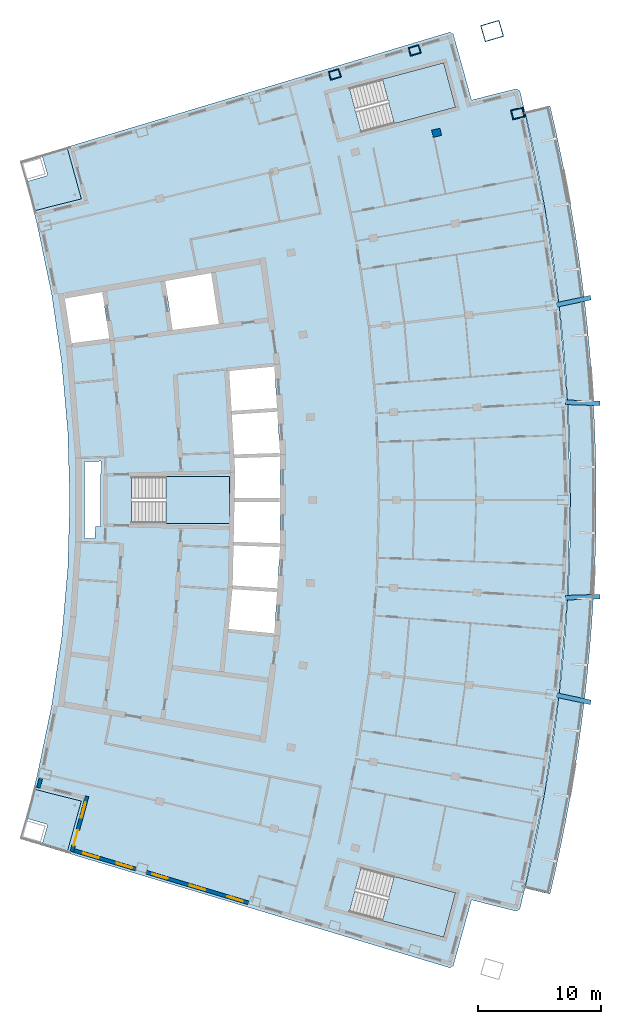
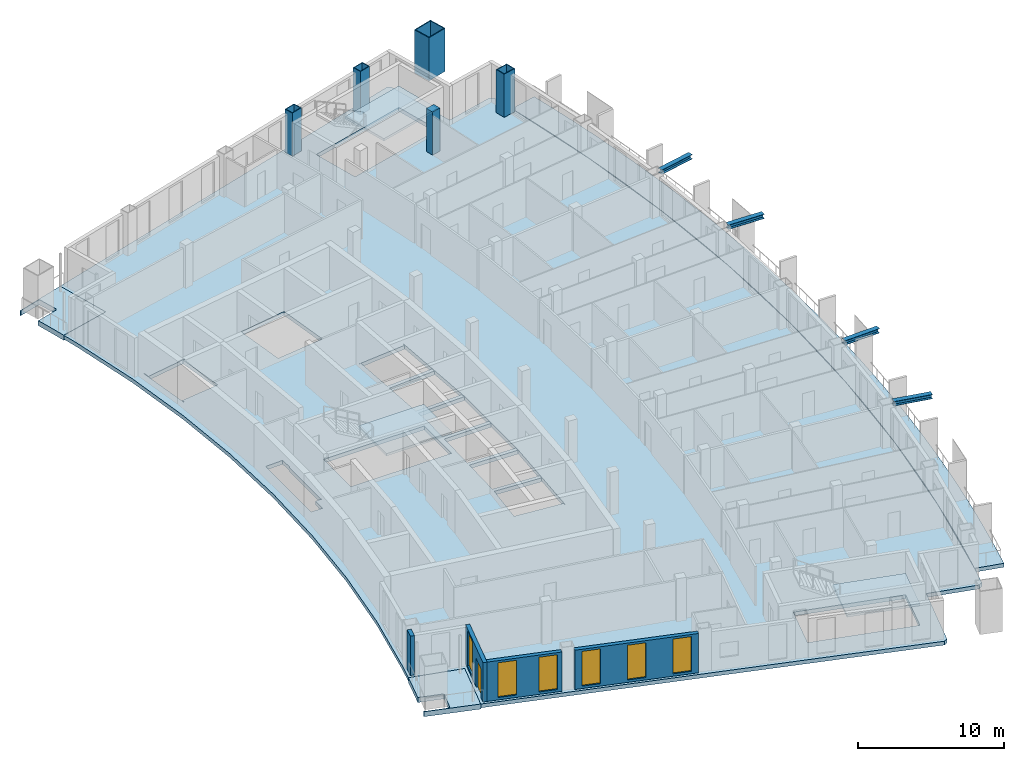
# One storey, part 6 of 17: 7 slabs, 6 windows, 5 columns, 4 members, 4 walls, 1 door, 7 openings, 3 elements without a shape of their own.
"""IFC4 building model written with IfcOpenShell, lengths in metres."""

import ifcopenshell
import ifcopenshell.guid

model = None  # the IFC model being written
_history = None  # IfcOwnerHistory: only IFC2X3 demands one
_inside = {}  # id of a spatial element -> (the spatial element, [elements in it])
_under = {}  # id of a project, library or spatial element -> (it, [spatial elements below it])
_declared = {}  # id of a project -> (the project, [libraries it declares])
_typed = {}  # id of a type object -> (the type object, [elements of that type])
_made_of = {}  # id of a material, layer set ... -> (it, [elements and type objects made of it])


def new_model(schema):
    """Start an empty IFC model of exactly this schema.

    Asked for "IFC4X3", IfcOpenShell would pick the latest addendum, in which some entities
    have other attributes; the version numbers below select the first issue.
    IFC2X3 requires an IfcOwnerHistory on every rooted entity: one is made here for all.
    """
    global model, _history
    if schema == "IFC4X3":
        model = ifcopenshell.file(schema_version=(4, 3, 0, 0))
    else:
        model = ifcopenshell.file(schema=schema)
    _inside.clear()
    _under.clear()
    _declared.clear()
    _typed.clear()
    _made_of.clear()
    _history = None
    if model.schema == "IFC2X3":
        org = make("IfcOrganization", Name="unknown")
        user = make(
            "IfcPersonAndOrganization",
            ThePerson=make("IfcPerson", FamilyName="unknown"),
            TheOrganization=org,
        )
        app = make(
            "IfcApplication",
            ApplicationDeveloper=org,
            Version="unknown",
            ApplicationFullName="unknown",
            ApplicationIdentifier="unknown",
        )
        _history = make(
            "IfcOwnerHistory",
            OwningUser=user,
            OwningApplication=app,
            ChangeAction="ADDED",
            CreationDate=0,
        )
    return model


def make(cls, **values):
    """One entity of the class cls with the attributes given. An attribute that is None is left unset."""
    return model.create_entity(
        cls, **{name: value for name, value in values.items() if value is not None}
    )


def rooted(cls, **values):
    """An entity with a GlobalId (a new one), such as an element, a storey or a relation."""
    return make(cls, GlobalId=ifcopenshell.guid.new(), OwnerHistory=_history, **values)


def si_unit(unit_type, name, prefix=None):
    """IfcSIUnit, for example si_unit("LENGTHUNIT", "METRE", prefix="MILLI")."""
    return make("IfcSIUnit", UnitType=unit_type, Prefix=prefix, Name=name)


def assignment(units):
    """IfcUnitAssignment: the units of a project."""
    return None if units is None else make("IfcUnitAssignment", Units=units)


def point(xyz):
    """IfcCartesianPoint."""
    return None if xyz is None else make("IfcCartesianPoint", Coordinates=xyz)


def direction(xyz):
    """IfcDirection."""
    return None if xyz is None else make("IfcDirection", DirectionRatios=xyz)


def frame(location, z_axis=None, x_axis=None):
    """IfcAxis2Placement3D, a coordinate frame: its origin and axes. An axis left out is left unset."""
    return make(
        "IfcAxis2Placement3D",
        Location=point(location),
        Axis=direction(z_axis),
        RefDirection=direction(x_axis),
    )


def frame_2d(location, x_axis=None):
    """IfcAxis2Placement2D, a coordinate frame in the plane: its origin and x axis."""
    return make(
        "IfcAxis2Placement2D", Location=point(location), RefDirection=direction(x_axis)
    )


def origin():
    """The frame at (0, 0, 0) with its axes left unset."""
    return frame((0.0, 0.0, 0.0))


def origin_2d():
    """The frame at (0, 0) in the plane with its x axis left unset."""
    return frame_2d((0.0, 0.0))


def place(relative_to, where):
    """IfcLocalPlacement: puts the frame where relative to a parent placement (None: the world)."""
    return make(
        "IfcLocalPlacement", PlacementRelTo=relative_to, RelativePlacement=where
    )


def context(
    kind, dimensions, precision=None, world=None, true_north=None, identifier=None
):
    """IfcGeometricRepresentationContext, for example the 3D "Model" context."""
    return make(
        "IfcGeometricRepresentationContext",
        ContextIdentifier=identifier,
        ContextType=kind,
        CoordinateSpaceDimension=dimensions,
        Precision=precision,
        WorldCoordinateSystem=world,
        TrueNorth=true_north,
    )


def subcontext(parent, identifier, kind, view, scale=None):
    """IfcGeometricRepresentationSubContext, for example "Body" below "Model"."""
    return make(
        "IfcGeometricRepresentationSubContext",
        ContextIdentifier=identifier,
        ContextType=kind,
        ParentContext=parent,
        TargetScale=scale,
        TargetView=view,
    )


def project(units=None, contexts=None):
    """IfcProject with its units and contexts."""
    return rooted(
        "IfcProject",
        Name="project",
        RepresentationContexts=contexts,
        UnitsInContext=assignment(units),
    )


def spatial(cls, under=None, at=None, **own):
    """A site, building, storey or space (cls), placed at a placement, below another one or the project."""
    s = rooted(cls, ObjectPlacement=at, **own)
    if under is not None:
        _under.setdefault(under.id(), (under, []))[1].append(s)
    return s


def polyline(points):
    """IfcPolyline through the points."""
    return make("IfcPolyline", Points=[point(p) for p in points])


def profile(cls, at=None, kind="AREA", **sizes):
    """A parametric profile (cls). Its sizes go by their IFC names, for example OverallWidth=200.0."""
    return make(cls, ProfileType=kind, Position=at, **sizes)


def rectangle(**sizes):
    """IfcRectangleProfileDef."""
    return profile("IfcRectangleProfileDef", **sizes)


def hollow_rectangle(**sizes):
    """IfcRectangleHollowProfileDef."""
    return profile("IfcRectangleHollowProfileDef", **sizes)


def i_section(**sizes):
    """IfcIShapeProfileDef."""
    return profile("IfcIShapeProfileDef", **sizes)


def outline(outer, holes=None, kind="AREA"):
    """IfcArbitraryClosedProfileDef: a profile drawn as a closed curve; with holes, ...WithVoids."""
    if holes is None:
        return make("IfcArbitraryClosedProfileDef", ProfileType=kind, OuterCurve=outer)
    return make(
        "IfcArbitraryProfileDefWithVoids",
        ProfileType=kind,
        OuterCurve=outer,
        InnerCurves=holes,
    )


def extrude(swept, where, along, depth):
    """IfcExtrudedAreaSolid: the profile swept, set in the frame where, extruded along a direction by depth."""
    return make(
        "IfcExtrudedAreaSolid",
        SweptArea=swept,
        Position=where,
        ExtrudedDirection=direction(along),
        Depth=depth,
    )


def shape(context_of_items, identifier, shape_type, items):
    """IfcShapeRepresentation: the items that make up one representation, for example the "Body"."""
    return make(
        "IfcShapeRepresentation",
        ContextOfItems=context_of_items,
        RepresentationIdentifier=identifier,
        RepresentationType=shape_type,
        Items=items,
    )


def material(Name=None, Category=None):
    """IfcMaterial."""
    return make("IfcMaterial", Name=Name, Category=Category)


def layer(
    of_material, thickness, ventilated=None, Name=None, Category=None, Priority=None
):
    """IfcMaterialLayer: one layer of a wall or slab, of a material (None: an air gap)."""
    return make(
        "IfcMaterialLayer",
        Material=of_material,
        LayerThickness=thickness,
        IsVentilated=ventilated,
        Name=Name,
        Category=Category,
        Priority=Priority,
    )


def layer_set(layers, Name=None):
    """IfcMaterialLayerSet."""
    return make("IfcMaterialLayerSet", MaterialLayers=layers, LayerSetName=Name)


def material_profile(
    of_material, cross_section, Name=None, Category=None, Priority=None
):
    """IfcMaterialProfile: a cross section and its material."""
    return make(
        "IfcMaterialProfile",
        Name=Name,
        Material=of_material,
        Profile=cross_section,
        Priority=Priority,
        Category=Category,
    )


def profile_set(profiles, Name=None, composite=None):
    """IfcMaterialProfileSet."""
    return make(
        "IfcMaterialProfileSet",
        Name=Name,
        MaterialProfiles=profiles,
        CompositeProfile=composite,
    )


def made_of(thing, what):
    """Note that an element or type object is made of a material, layer set ...; save() writes the relation."""
    if what is not None:
        _made_of.setdefault(what.id(), (what, []))[1].append(thing)
    return thing


def type_object(cls, material=None, **own):
    """A type object (cls), such as IfcWallType, which elements share."""
    return made_of(rooted(cls, **own), material)


def element(
    cls,
    number,
    at=None,
    inside=None,
    cuts=None,
    type_object=None,
    material=None,
    context=None,
    identifier="Body",
    shape_type=None,
    held_by="IfcProductDefinitionShape",
    body=None,
    shapes=None,
    **own,
):
    """One element of the class cls, such as IfcWall. Its Tag is "e" and its number.

    at: its placement. inside: the storey or other place that contains it. cuts: it is an
    opening in that element (IfcRelVoidsElement). A single representation is given by context,
    identifier, shape_type and body (its items); several are given by shapes. held_by: the class
    of the entity that holds the representations. save() writes the other relations.
    """
    e = rooted(cls, Tag="e%d" % number, ObjectPlacement=at, **own)
    if body is not None:
        shapes = [shape(context, identifier, shape_type, body)]
    if shapes is not None:
        e.Representation = make(held_by, Representations=shapes)
    if inside is not None:
        _inside.setdefault(inside.id(), (inside, []))[1].append(e)
    if cuts is not None:
        rooted(
            "IfcRelVoidsElement", RelatingBuildingElement=cuts, RelatedOpeningElement=e
        )
    if type_object is not None:
        _typed.setdefault(type_object.id(), (type_object, []))[1].append(e)
    return made_of(e, material)


def fill(opening, filler):
    """IfcRelFillsElement: the door or window that sits in an opening."""
    return rooted(
        "IfcRelFillsElement",
        RelatingOpeningElement=opening,
        RelatedBuildingElement=filler,
    )


def aggregate(whole, parts):
    """IfcRelAggregates: a whole, such as a stair, and the parts it consists of."""
    return rooted("IfcRelAggregates", RelatingObject=whole, RelatedObjects=parts)


def save(model, path):
    """Write the relations noted so far, then the file.

    IfcRelAggregates (storeys below a building ...), IfcRelContainedInSpatialStructure (elements
    in a storey), IfcRelDefinesByType, IfcRelAssociatesMaterial and IfcRelDeclares: one each for
    every whole, place, type object, material and project.
    """
    for whole, parts in _under.values():
        aggregate(whole, parts)
    for where, things in _inside.values():
        rooted(
            "IfcRelContainedInSpatialStructure",
            RelatedElements=things,
            RelatingStructure=where,
        )
    for kind, things in _typed.values():
        rooted("IfcRelDefinesByType", RelatedObjects=things, RelatingType=kind)
    for what, things in _made_of.values():
        rooted("IfcRelAssociatesMaterial", RelatedObjects=things, RelatingMaterial=what)
    for by, libraries in _declared.values():
        rooted("IfcRelDeclares", RelatingContext=by, RelatedDefinitions=libraries)
    model.write(path)


model = new_model("IFC4")

# Units and contexts
model_context = context("Model", 3, precision=1e-05, world=origin(), true_north=direction((0.0, 1.0)))
body_context = subcontext(model_context, "Body", "Model", "MODEL_VIEW")
ifc_project = project(units=[si_unit("LENGTHUNIT", "METRE"), si_unit("AREAUNIT", "SQUARE_METRE"), si_unit("VOLUMEUNIT", "CUBIC_METRE"), si_unit("PLANEANGLEUNIT", "RADIAN"), si_unit("MASSUNIT", "GRAM", prefix="KILO")], contexts=[model_context])

# Site, building, storey
site_placement = place(None, origin())
site = spatial("IfcSite", under=ifc_project, at=site_placement, CompositionType="ELEMENT")
building_placement = place(site_placement, origin())
building = spatial("IfcBuilding", under=site, at=building_placement, Name="Alderwake Tower", CompositionType="ELEMENT")
storey_placement = place(building_placement, frame((0.0, 0.0, 270.800048828125)))
storey = spatial("IfcBuildingStorey", under=building, at=storey_placement, Name="L67", CompositionType="ELEMENT", Elevation=270.800048828125)

# Columns
ifc_material_1 = material(Name="Steel ASTM A572 Grade 50 concrete filled C70/85", Category="concrete")
ifc_material_profile_1 = material_profile(ifc_material_1, hollow_rectangle(XDim=0.699951171875, YDim=0.89990234375, WallThickness=0.050048828125, at=origin_2d()), Name="BOX 900X700X50")
ifc_profile_set_1 = profile_set([ifc_material_profile_1], Name="Steel ASTM A572 Grade 50 concrete filled C70/85")
column_type_1 = type_object("IfcColumnType", Name="End column Z5", PredefinedType="COLUMN", material=ifc_profile_set_1)
for number, where, z_axis, x_axis, name in (
    (1, (37.59326171875, 95.678466796875, 0.0), (0.0, 0.0, 1.0), (-0.282858780249, 0.959161566388, 0.0), "Column R12-C3"),
    (2, (44.106201171875, 97.6337890625, 0.0), (0.0, 0.0, 1.0), (-0.28310485669, 0.95908896361, 0.0), "Column R12-C4"),
):
    element("IfcColumn", number, at=place(storey_placement, frame(where, z_axis=z_axis, x_axis=x_axis)), inside=storey, type_object=column_type_1, Name=name, PredefinedType="COLUMN", context=body_context, shape_type="SweptSolid", body=[
        extrude(hollow_rectangle(XDim=0.699951171875, YDim=0.89990234375, WallThickness=0.050048828125, at=origin_2d()), origin(), (0.0, 0.0, 1.0), 3.599853515625),
    ])
ifc_material_2 = material(Name="Concrete C70/85", Category="concrete")
ifc_material_profile_2 = material_profile(ifc_material_2, rectangle(XDim=0.60009765625, YDim=0.699951171875, at=origin_2d()), Name="RC 700X600")
ifc_profile_set_2 = profile_set([ifc_material_profile_2], Name="Concrete C70/85")
column_type_2 = type_object("IfcColumnType", Name="Interior column Z5", PredefinedType="COLUMN", material=ifc_profile_set_2)
column_1_placement = place(storey_placement, frame((45.893310546875, 90.920166015625, 0.0), z_axis=(0.0, 0.0, 1.0), x_axis=(-0.231221547198, 0.972901123502, 0.0)))
element("IfcColumn", 3, at=column_1_placement, inside=storey, type_object=column_type_2, Name="Column R11-C4", PredefinedType="COLUMN", context=body_context, shape_type="SweptSolid", body=[
    extrude(rectangle(XDim=0.60009765625, YDim=0.699951171875, at=origin_2d()), origin(), (0.0, 0.0, 1.0), 3.599853515625),
])
ifc_material_3 = material(Name="Steel ASTM A572 Grade 50 concrete filled C70/85", Category="concrete")
ifc_material_profile_3 = material_profile(ifc_material_3, hollow_rectangle(XDim=1.39990234375, YDim=1.60009765625, WallThickness=0.070068359375, at=origin_2d()), Name="BOX 1600X1400X70")
ifc_profile_set_3 = profile_set([ifc_material_profile_3], Name="Steel ASTM A572 Grade 50 concrete filled C70/85")
column_type_3 = type_object("IfcColumnType", Name="Mega column Z5", PredefinedType="COLUMN", material=ifc_profile_set_3)
column_2_placement = place(storey_placement, frame((50.415771484375, 99.217041015625, 0.0), z_axis=(0.0, 0.0, 1.0), x_axis=(-0.281214445816, 0.959644952816, 0.0)))
element("IfcColumn", 4, at=column_2_placement, inside=storey, type_object=column_type_3, Name="Column R12-C5", PredefinedType="COLUMN", context=body_context, shape_type="SweptSolid", body=[
    extrude(hollow_rectangle(XDim=1.39990234375, YDim=1.60009765625, WallThickness=0.070068359375, at=origin_2d()), origin(), (0.0, 0.0, 1.0), 3.599853515625),
])
ifc_material_4 = material(Name="Steel ASTM A572 Grade 50 concrete filled C70/85", Category="concrete")
ifc_material_profile_4 = material_profile(ifc_material_4, hollow_rectangle(XDim=0.800048828125, YDim=1.0, WallThickness=0.054931640625, at=origin_2d()), Name="BOX 1000X800X55")
ifc_profile_set_4 = profile_set([ifc_material_profile_4], Name="Steel ASTM A572 Grade 50 concrete filled C70/85")
column_type_4 = type_object("IfcColumnType", Name="Perimeter column Z5", PredefinedType="COLUMN", material=ifc_profile_set_4)
column_3_placement = place(storey_placement, frame((52.509033203125, 92.492431640625, 0.0), z_axis=(0.0, 0.0, 1.0), x_axis=(-0.231221547198, 0.972901123502, 0.0)))
element("IfcColumn", 5, at=column_3_placement, inside=storey, type_object=column_type_4, Name="Column R11-C5", PredefinedType="COLUMN", context=body_context, shape_type="SweptSolid", body=[
    extrude(hollow_rectangle(XDim=0.800048828125, YDim=1.0, WallThickness=0.054931640625, at=origin_2d()), origin(), (0.0, 0.0, 1.0), 3.599853515625),
])

# Members
ifc_material_5 = material(Name="Steel ASTM A992 Grade 50", Category="steel")
ifc_material_profile_5 = material_profile(ifc_material_5, i_section(OverallWidth=0.3740234375, OverallDepth=0.372314453125, WebThickness=0.016357421875, FlangeThickness=0.026123046875, at=origin_2d()), Name="W14X132")
ifc_profile_set_5 = profile_set([ifc_material_profile_5], Name="Steel ASTM A992 Grade 50")
member_type = type_object("IfcMemberType", Name="Brace node stub W14X132", PredefinedType="MEMBER", material=ifc_profile_set_5)
for number, where, z_axis, x_axis, name in (
    (6, (55.720703125, 45.090087890625, 3.393798828125), (0.978432513688, -0.206566735364, 0.0), (0.206566735364, 0.978432513688, 0.0), "Brace node stub BS.FR05-C5.2744"),
    (7, (56.417724609375, 53.03662109375, 3.393798828125), (0.999451595417, 0.033113568504, 0.0), (-0.033113568504, 0.999451595417, 0.0), "Brace node stub BS.FR06-C5.2744"),
    (8, (56.417724609375, 68.96337890625, 3.393798828125), (0.999451595417, -0.033113568504, 0.0), (0.033113568504, 0.999451595417, 0.0), "Brace node stub BS.FR08-C5.2744"),
    (9, (55.720703125, 76.909912109375, 3.393798828125), (0.978432513688, 0.206566735364, 0.0), (-0.206566735364, 0.978432513688, 0.0), "Brace node stub BS.FR09-C5.2744"),
):
    element("IfcMember", number, at=place(storey_placement, frame(where, z_axis=z_axis, x_axis=x_axis)), inside=storey, type_object=member_type, Name=name, PredefinedType="MEMBER", context=body_context, shape_type="SweptSolid", body=[
        extrude(i_section(OverallWidth=0.3740234375, OverallDepth=0.372314453125, WebThickness=0.016357421875, FlangeThickness=0.026123046875, at=origin_2d()), origin(), (0.0, 0.0, 1.0), 2.786865234375),
    ])

# Slabs
ifc_material_6 = material(Name="Concrete C50/60", Category="concrete")
ifc_layer_1 = layer(ifc_material_6, 0.320068359375)
ifc_layer_set_1 = layer_set([ifc_layer_1], Name="Balcony slab 320")
slab_type_1 = type_object("IfcSlabType", Name="Balcony slab 320", PredefinedType="FLOOR", material=ifc_layer_set_1)
slab_1_placement = place(storey_placement, frame((0.0, 0.0, -0.320068359375)))
element("IfcSlab", 10, at=slab_1_placement, inside=storey, type_object=slab_type_1, Name="Balcony BF03", PredefinedType="FLOOR", context=body_context, shape_type="SweptSolid", body=[
    extrude(outline(polyline([(55.135986328125, 28.88330078125), (55.58984375, 30.857421875), (56.01513671875, 32.837890625), (56.411376953125, 34.82421875), (56.778564453125, 36.81640625), (57.11669921875, 38.813720703125), (57.425537109375, 40.8154296875), (57.705322265625, 42.82177734375), (57.955810546875, 44.831787109375), (58.177001953125, 46.84521484375), (58.36865234375, 48.86181640625), (58.531005859375, 50.880859375), (58.663818359375, 52.902099609375), (58.76708984375, 54.925048828125), (58.8408203125, 56.94921875), (58.88525390625, 58.974365234375), (58.89990234375, 61.0), (58.88525390625, 63.025634765625), (58.8408203125, 65.05078125), (58.76708984375, 67.074951171875), (58.663818359375, 69.097900390625), (58.531005859375, 71.119140625), (58.36865234375, 73.13818359375), (58.177001953125, 75.15478515625), (57.955810546875, 77.168212890625), (57.705322265625, 79.17822265625), (57.425537109375, 81.1845703125), (57.11669921875, 83.186279296875), (56.778564453125, 85.18359375), (56.411376953125, 87.17578125), (56.01513671875, 89.162109375), (55.58984375, 91.142578125), (55.135986328125, 93.11669921875), (53.093017578125, 92.631103515625), (53.5400390625, 90.68701171875), (53.958740234375, 88.736328125), (54.348876953125, 86.77978515625), (54.710693359375, 84.818115234375), (55.043701171875, 82.85107421875), (55.347900390625, 80.87939453125), (55.623291015625, 78.903564453125), (55.8701171875, 76.923828125), (56.087890625, 74.94091796875), (56.276611328125, 72.95458984375), (56.4365234375, 70.96630859375), (56.5673828125, 68.9755859375), (56.669189453125, 66.983154296875), (56.74169921875, 64.989501953125), (56.785400390625, 62.994873046875), (56.800048828125, 61.0), (56.785400390625, 59.005126953125), (56.74169921875, 57.010498046875), (56.669189453125, 55.016845703125), (56.5673828125, 53.0244140625), (56.4365234375, 51.03369140625), (56.276611328125, 49.04541015625), (56.087890625, 47.05908203125), (55.8701171875, 45.076171875), (55.623291015625, 43.096435546875), (55.347900390625, 41.12060546875), (55.043701171875, 39.14892578125), (54.710693359375, 37.181884765625), (54.348876953125, 35.22021484375), (53.958740234375, 33.263671875), (53.5400390625, 31.31298828125), (53.093017578125, 29.368896484375), (55.135986328125, 28.88330078125)])), origin(), (0.0, 0.0, 1.0), 0.320068359375),
])
ifc_material_7 = material(Name="Concrete C50/60", Category="concrete")
ifc_layer_2 = layer(ifc_material_7, 0.320068359375)
ifc_layer_set_2 = layer_set([ifc_layer_2], Name="Concrete C50/60 post-tensioned flat plate 320")
slab_type_2 = type_object("IfcSlabType", Name="Concrete C50/60 post-tensioned flat plate 320", PredefinedType="FLOOR", material=ifc_layer_set_2)
slab_2_placement = place(storey_placement, frame((0.0, 0.0, -0.320068359375)))
element("IfcSlab", 11, at=slab_2_placement, inside=storey, type_object=slab_type_2, Name="Floor slab L67", PredefinedType="FLOOR", context=body_context, shape_type="SweptSolid", body=[
    extrude(outline(polyline([(13.06494140625, 37.443115234375), (13.3984375, 38.802734375), (14.53369140625, 44.28564453125), (15.347412109375, 49.825439453125), (15.836669921875, 55.4033203125), (16.0, 61.0), (15.836669921875, 66.5966796875), (15.347412109375, 72.174560546875), (14.53369140625, 77.71435546875), (13.3984375, 83.197265625), (13.06494140625, 84.556884765625), (16.942626953125, 85.53857421875), (15.776611328125, 89.7548828125), (46.970947265625, 99.120361328125), (47.252685546875, 98.96484375), (48.73974609375, 93.587158203125), (52.394287109375, 94.51220703125), (52.672119140625, 94.34521484375), (53.093017578125, 92.631103515625), (54.710693359375, 84.818115234375), (55.8701171875, 76.923828125), (56.5673828125, 68.9755859375), (56.800048828125, 61.0), (56.5673828125, 53.0244140625), (55.8701171875, 45.076171875), (54.710693359375, 37.181884765625), (53.093017578125, 29.368896484375), (52.672119140625, 27.65478515625), (52.394287109375, 27.48779296875), (48.73974609375, 28.412841796875), (47.252685546875, 23.03515625), (46.970947265625, 22.879638671875), (15.776611328125, 32.2451171875), (16.942626953125, 36.46142578125), (13.06494140625, 37.443115234375)]), holes=[polyline([(29.25732421875, 53.7685546875), (28.939697265625, 50.49072265625), (32.646484375, 50.128173828125), (32.6318359375, 49.978759765625), (32.661865234375, 49.975830078125), (32.90087890625, 53.64794921875), (33.139892578125, 57.320068359375), (33.139892578125, 61.0), (33.139892578125, 64.679931640625), (32.90087890625, 68.35205078125), (32.661865234375, 72.024169921875), (32.6318359375, 72.021240234375), (32.646484375, 71.871826171875), (28.886962890625, 71.50390625), (28.88720703125, 71.50048828125), (28.99462890625, 71.506591796875), (29.184814453125, 68.26025390625), (32.861083984375, 68.499755859375), (32.87109375, 68.35009765625), (32.880615234375, 68.200439453125), (29.2021484375, 67.960693359375), (29.392578125, 64.7080078125), (33.105224609375, 64.828857421875), (33.110107421875, 64.678955078125), (33.114990234375, 64.529052734375), (29.41015625, 64.408447265625), (29.4765625, 63.27685546875), (29.429443359375, 61.14990234375), (33.110107421875, 61.14990234375), (33.110107421875, 61.0), (33.110107421875, 60.85009765625), (29.4228515625, 60.85009765625), (29.350830078125, 57.593505859375), (33.114990234375, 57.470947265625), (33.110107421875, 57.321044921875), (33.105224609375, 57.171142578125), (29.34423828125, 57.29345703125), (29.2705078125, 53.9697265625), (29.274169921875, 53.969482421875), (29.2783203125, 54.0341796875), (32.880615234375, 53.799560546875), (32.87109375, 53.64990234375), (32.861083984375, 53.500244140625), (29.2587890625, 53.73486328125), (29.260986328125, 53.768310546875), (29.25732421875, 53.7685546875)]), polyline([(21.050048828125, 62.875), (21.050048828125, 59.125), (29.0, 59.125), (29.0, 62.875), (21.050048828125, 62.875)]), polyline([(15.54345703125, 77.892822265625), (15.437744140625, 77.874267578125), (15.4384765625, 77.87060546875), (15.519287109375, 77.8828125), (16.180908203125, 73.579833984375), (16.210693359375, 73.583740234375), (16.184814453125, 73.781982421875), (19.224609375, 74.1796875), (18.656005859375, 77.940673828125), (18.852294921875, 77.97021484375), (18.8505859375, 77.980224609375), (15.626220703125, 77.418212890625), (15.54345703125, 77.892822265625)]), polyline([(27.521240234375, 79.491943359375), (23.77783203125, 78.83935546875), (24.384033203125, 74.858642578125), (24.3642578125, 74.855712890625), (24.36474609375, 74.851806640625), (28.152587890625, 75.347412109375), (27.521240234375, 79.491943359375)]), polyline([(47.436279296875, 28.996826171875), (39.754150390625, 31.043212890625), (38.7890625, 27.41943359375), (46.47119140625, 25.373291015625), (47.436279296875, 28.996826171875)]), polyline([(46.47119140625, 96.626708984375), (38.7890625, 94.58056640625), (39.754150390625, 90.956787109375), (47.436279296875, 93.003173828125), (46.47119140625, 96.626708984375)]), polyline([(17.189453125, 64.114990234375), (17.189453125, 57.885009765625), (18.06298828125, 57.85400390625), (18.090576171875, 58.84375), (18.544189453125, 58.831298828125), (18.529296875, 58.8681640625), (18.5234375, 58.891845703125), (18.5185546875, 58.940673828125), (18.5185546875, 63.060302734375), (18.5234375, 63.109130859375), (18.53759765625, 63.156005859375), (18.560791015625, 63.19921875), (18.588623046875, 63.2333984375), (18.562744140625, 64.16357421875), (17.189453125, 64.114990234375)])]), origin(), (0.0, 0.0, 1.0), 0.320068359375),
])

# Stair, slab
ifc_material_8 = material(Name="Concrete C40/50", Category="concrete")
stair_type = type_object("IfcStairType", Name="Core exit stair", PredefinedType="HALF_TURN_STAIR", material=ifc_material_8)
stair_1_placement = place(storey_placement, origin())
stair_1 = element("IfcStair", 12, at=stair_1_placement, inside=storey, type_object=stair_type, Name="L67 Exit Stair B", PredefinedType="HALF_TURN_STAIR")
ifc_material_9 = material(Name="Concrete C40/50", Category="concrete")
ifc_layer_3 = layer(ifc_material_9, 0.199951171875)
ifc_layer_set_3 = layer_set([ifc_layer_3], Name="Core stair landing 200")
slab_type_3 = type_object("IfcSlabType", Name="Core stair landing 200", PredefinedType="LANDING", material=ifc_layer_set_3)
slab_3_placement = place(storey_placement, frame((0.0, 0.0, 1.599853515625)))
slab_3 = element("IfcSlab", 13, at=slab_3_placement, type_object=slab_type_3, Name="ST-B landing 1", PredefinedType="LANDING", context=body_context, shape_type="SweptSolid", body=[
    extrude(outline(polyline([(23.830078125, 59.074951171875), (29.0, 59.074951171875), (29.0, 62.925048828125), (23.830078125, 62.925048828125), (23.830078125, 59.074951171875)])), origin(), (0.0, 0.0, 1.0), 0.2001953125),
])
aggregate(stair_1, [slab_3])

stair_2_placement = place(storey_placement, origin())
stair_2 = element("IfcStair", 14, at=stair_2_placement, inside=storey, type_object=stair_type, Name="L67 Exit Stair A", PredefinedType="HALF_TURN_STAIR")
slab_4_placement = place(storey_placement, frame((0.0, 0.0, 1.599853515625)))
slab_4 = element("IfcSlab", 15, at=slab_4_placement, type_object=slab_type_3, Name="ST-A landing 1", PredefinedType="LANDING", context=body_context, shape_type="SweptSolid", body=[
    extrude(outline(polyline([(42.440673828125, 91.67236328125), (47.436279296875, 93.003173828125), (46.47119140625, 96.626708984375), (41.475341796875, 95.296142578125), (42.440673828125, 91.67236328125)])), origin(), (0.0, 0.0, 1.0), 0.2001953125),
])
aggregate(stair_2, [slab_4])

stair_3_placement = place(storey_placement, origin())
stair_3 = element("IfcStair", 16, at=stair_3_placement, inside=storey, type_object=stair_type, Name="L67 Exit Stair C", PredefinedType="HALF_TURN_STAIR")
slab_5_placement = place(storey_placement, frame((0.0, 0.0, 1.599853515625)))
slab_5 = element("IfcSlab", 17, at=slab_5_placement, type_object=slab_type_3, Name="ST-C landing 1", PredefinedType="LANDING", context=body_context, shape_type="SweptSolid", body=[
    extrude(outline(polyline([(41.475341796875, 26.703857421875), (46.47119140625, 25.373291015625), (47.436279296875, 28.996826171875), (42.4404296875, 30.32763671875), (41.475341796875, 26.703857421875)])), origin(), (0.0, 0.0, 1.0), 0.2001953125),
])
aggregate(stair_3, [slab_5])

# Slabs
ifc_material_10 = material(Name="Concrete C50/60", Category="concrete")
ifc_layer_4 = layer(ifc_material_10, 0.419921875)
ifc_layer_set_4 = layer_set([ifc_layer_4], Name="Terrace slab 420")
slab_type_4 = type_object("IfcSlabType", Name="Terrace slab 420", PredefinedType="FLOOR", material=ifc_layer_set_4)
slab_6_placement = place(storey_placement, frame((0.0, 0.0, -0.420166015625)))
element("IfcSlab", 18, at=slab_6_placement, inside=storey, type_object=slab_type_4, Name="Corner terrace RS", PredefinedType="FLOOR", context=body_context, shape_type="SweptSolid", body=[
    extrude(outline(polyline([(15.776611328125, 32.2451171875), (11.945556640625, 33.395263671875), (11.9697265625, 33.478271484375), (11.97607421875, 33.46826171875), (11.985107421875, 33.456298828125), (11.9951171875, 33.44580078125), (12.006103515625, 33.435791015625), (12.017822265625, 33.42724609375), (12.03076171875, 33.419921875), (12.0439453125, 33.413818359375), (12.05810546875, 33.408935546875), (13.594482421875, 32.963134765625), (13.60888671875, 32.959716796875), (13.62353515625, 32.957763671875), (13.63818359375, 32.957275390625), (13.65283203125, 32.9580078125), (13.66748046875, 32.96044921875), (13.681640625, 32.964111328125), (13.695556640625, 32.969482421875), (13.708740234375, 32.975830078125), (13.72119140625, 32.9833984375), (13.73291015625, 32.992431640625), (13.74365234375, 33.00244140625), (13.75341796875, 33.013427734375), (13.76220703125, 33.025390625), (13.76953125, 33.0380859375), (13.775634765625, 33.051513671875), (13.780517578125, 33.0654296875), (14.17041015625, 34.409912109375), (14.173828125, 34.42431640625), (14.17578125, 34.43896484375), (14.176513671875, 34.45361328125), (14.175537109375, 34.46826171875), (14.173095703125, 34.48291015625), (14.16943359375, 34.4970703125), (14.164306640625, 34.510986328125), (14.157958984375, 34.524169921875), (14.150146484375, 34.53662109375), (14.14111328125, 34.54833984375), (14.131103515625, 34.55908203125), (14.1201171875, 34.56884765625), (14.1083984375, 34.577392578125), (14.095458984375, 34.5849609375), (14.082275390625, 34.591064453125), (14.068115234375, 34.595947265625), (12.531494140625, 35.04150390625), (12.517333984375, 35.044921875), (12.502685546875, 35.047119140625), (12.488037109375, 35.047607421875), (12.473388671875, 35.046630859375), (12.458740234375, 35.044189453125), (12.444580078125, 35.04052734375), (12.4306640625, 35.035400390625), (12.418701171875, 35.029541015625), (12.71142578125, 36.08837890625), (13.06494140625, 37.443115234375), (16.942626953125, 36.46142578125), (15.776611328125, 32.2451171875)])), origin(), (0.0, 0.0, 1.0), 0.420166015625),
])
slab_7_placement = place(storey_placement, frame((0.0, 0.0, -0.420166015625)))
element("IfcSlab", 19, at=slab_7_placement, inside=storey, type_object=slab_type_4, Name="Corner terrace RN", PredefinedType="FLOOR", context=body_context, shape_type="SweptSolid", body=[
    extrude(outline(polyline([(12.418701171875, 86.970458984375), (12.4306640625, 86.964599609375), (12.444580078125, 86.95947265625), (12.458740234375, 86.955810546875), (12.473388671875, 86.953369140625), (12.488037109375, 86.952392578125), (12.502685546875, 86.952880859375), (12.517333984375, 86.955078125), (12.531494140625, 86.95849609375), (14.068115234375, 87.404052734375), (14.082275390625, 87.408935546875), (14.095458984375, 87.4150390625), (14.1083984375, 87.422607421875), (14.1201171875, 87.43115234375), (14.131103515625, 87.44091796875), (14.14111328125, 87.45166015625), (14.150146484375, 87.46337890625), (14.157958984375, 87.475830078125), (14.164306640625, 87.489013671875), (14.16943359375, 87.5029296875), (14.173095703125, 87.51708984375), (14.175537109375, 87.53173828125), (14.176513671875, 87.54638671875), (14.17578125, 87.56103515625), (14.173828125, 87.57568359375), (14.17041015625, 87.590087890625), (13.780517578125, 88.9345703125), (13.775634765625, 88.948486328125), (13.76953125, 88.9619140625), (13.76220703125, 88.974609375), (13.75341796875, 88.986572265625), (13.74365234375, 88.99755859375), (13.73291015625, 89.007568359375), (13.72119140625, 89.0166015625), (13.708740234375, 89.024169921875), (13.695556640625, 89.030517578125), (13.681640625, 89.035888671875), (13.66748046875, 89.03955078125), (13.65283203125, 89.0419921875), (13.63818359375, 89.042724609375), (13.62353515625, 89.042236328125), (13.60888671875, 89.040283203125), (13.594482421875, 89.036865234375), (12.05810546875, 88.591064453125), (12.0439453125, 88.586181640625), (12.03076171875, 88.580078125), (12.017822265625, 88.57275390625), (12.006103515625, 88.564208984375), (11.9951171875, 88.55419921875), (11.985107421875, 88.543701171875), (11.97607421875, 88.53173828125), (11.9697265625, 88.521728515625), (11.945556640625, 88.604736328125), (15.776611328125, 89.7548828125), (16.942626953125, 85.53857421875), (13.06494140625, 84.556884765625), (12.71142578125, 85.91162109375), (12.418701171875, 86.970458984375)])), origin(), (0.0, 0.0, 1.0), 0.420166015625),
])

# Wall
ifc_material_11 = material(Name="Precast concrete C50/60 spandrel panel", Category="concrete")
ifc_layer_5 = layer(ifc_material_11, 0.300048828125)
ifc_layer_set_5 = layer_set([ifc_layer_5], Name="External wall EW1 Precast concrete C50/60 spandrel")
wall_type_1 = type_object("IfcWallType", Name="External wall EW1 Precast concrete C50/60 spandrel", PredefinedType="SOLIDWALL", material=ifc_layer_set_5)
wall_1_placement = place(storey_placement, frame((13.643310546875, 38.33154296875, 0.0), z_axis=(0.0, 0.0, 1.0), x_axis=(-0.238313493867, -0.971188281767, 0.0)))
element("IfcWall", 20, at=wall_1_placement, inside=storey, type_object=wall_type_1, Name="External wall 1", PredefinedType="SOLIDWALL", context=body_context, shape_type="SweptSolid", body=[
    extrude(rectangle(XDim=0.80322265625, YDim=0.300048828125, at=frame_2d((0.401611328125, 0.0))), origin(), (0.0, 0.0, 1.0), 3.280029296875),
])

# Wall, openings, door, window
ifc_material_12 = material(Name="Bronze metal cladding on lightweight framing")
ifc_layer_6 = layer(ifc_material_12, 0.300048828125)
ifc_layer_set_6 = layer_set([ifc_layer_6], Name="External wall EW2 bronze metal cladding")
wall_type_2 = type_object("IfcWallType", Name="External wall EW2 bronze metal cladding", PredefinedType="SOLIDWALL", material=ifc_layer_set_6)
wall_2_placement = place(storey_placement, frame((17.410400390625, 36.85888671875, 0.0), z_axis=(0.0, 0.0, 1.0), x_axis=(-0.264592640785, -0.96436027212, 0.0)))
wall_2 = element("IfcWall", 21, at=wall_2_placement, inside=storey, type_object=wall_type_2, Name="External wall 3", PredefinedType="SOLIDWALL", context=body_context, shape_type="SweptSolid", body=[
    extrude(rectangle(XDim=4.690185546875, YDim=0.300048828125, at=frame_2d((2.34521484375, 0.0))), origin(), (0.0, 0.0, 1.0), 3.280029296875),
])
opening_1_placement = place(wall_2_placement, frame((0.5224609375, 0.0, 0.199951171875)))
opening_1 = element("IfcOpeningElement", 22, at=opening_1_placement, cuts=wall_2, Name="Opening W1", PredefinedType="OPENING", context=body_context, shape_type="SweptSolid", body=[
    extrude(rectangle(XDim=1.300048828125, YDim=2.89990234375, at=frame_2d((0.64990234375, 1.449951171875))), frame((0.0, 0.159912109375, 0.0), z_axis=(0.0, -1.0, 0.0), x_axis=(1.0, 0.0, 0.0)), (0.0, 0.0, 1.0), 0.320068359375),
])
opening_2_placement = place(wall_2_placement, frame((2.867431640625, 0.0, 0.0)))
opening_2 = element("IfcOpeningElement", 23, at=opening_2_placement, cuts=wall_2, Name="Opening D01", PredefinedType="OPENING", context=body_context, shape_type="SweptSolid", body=[
    extrude(rectangle(XDim=1.300048828125, YDim=2.39990234375, at=frame_2d((0.64990234375, 1.199951171875))), frame((0.0, 0.159912109375, 0.0), z_axis=(0.0, -1.0, 0.0), x_axis=(1.0, 0.0, 0.0)), (0.0, 0.0, 1.0), 0.320068359375),
])
ifc_material_13 = material(Name="Bronze tinted glass in aluminium frame", Category="aluminium")
door_type = type_object("IfcDoorType", Name="Balcony door BD sliding", OperationType="SLIDING_TO_LEFT", PredefinedType="DOOR", material=ifc_material_13)
door_placement = place(opening_2_placement, origin())
door = element("IfcDoor", 24, at=door_placement, inside=storey, type_object=door_type, Name="Door D01", OperationType="SLIDING_TO_LEFT", OverallHeight=2.39990234375, OverallWidth=1.300048828125, PredefinedType="DOOR", context=body_context, shape_type="SweptSolid", body=[
    extrude(rectangle(XDim=1.300048828125, YDim=2.39990234375, at=frame_2d((0.64990234375, 1.199951171875))), frame((0.0, 0.02490234375, 0.0), z_axis=(0.0, -1.0, 0.0), x_axis=(1.0, 0.0, 0.0)), (0.0, 0.0, 1.0), 0.050048828125),
])
fill(opening_2, door)
ifc_material_14 = material(Name="Bronze tinted glass in aluminium frame", Category="aluminium")
window_type = type_object("IfcWindowType", Name="Window W1 tall fixed and vent", PartitioningType="DOUBLE_PANEL_VERTICAL", PredefinedType="WINDOW", material=ifc_material_14)
window_1_placement = place(opening_1_placement, origin())
window_1 = element("IfcWindow", 25, at=window_1_placement, inside=storey, type_object=window_type, Name="Window W1 tall fixed and vent", OverallHeight=2.89990234375, OverallWidth=1.300048828125, PartitioningType="DOUBLE_PANEL_VERTICAL", PredefinedType="WINDOW", context=body_context, shape_type="SweptSolid", body=[
    extrude(rectangle(XDim=1.300048828125, YDim=2.89990234375, at=frame_2d((0.64990234375, 1.449951171875))), frame((0.0, 0.030029296875, 0.0), z_axis=(0.0, -1.0, 0.0), x_axis=(1.0, 0.0, 0.0)), (0.0, 0.0, 1.0), 0.06005859375),
])
fill(opening_1, window_1)

# Wall, openings, windows
wall_3_placement = place(storey_placement, frame((16.352783203125, 32.4375, 0.0), z_axis=(0.0, 0.0, 1.0), x_axis=(0.957768668152, -0.287539872551, 0.0)))
wall_3 = element("IfcWall", 26, at=wall_3_placement, inside=storey, type_object=wall_type_2, Name="External wall 4", PredefinedType="SOLIDWALL", context=body_context, shape_type="SweptSolid", body=[
    extrude(rectangle(XDim=5.249755859375, YDim=0.300048828125, at=frame_2d((2.625, 0.0))), origin(), (0.0, 0.0, 1.0), 3.280029296875),
])
opening_3_placement = place(wall_3_placement, frame((0.775390625, 0.0, 0.199951171875)))
opening_3 = element("IfcOpeningElement", 27, at=opening_3_placement, cuts=wall_3, Name="Opening W1", PredefinedType="OPENING", context=body_context, shape_type="SweptSolid", body=[
    extrude(rectangle(XDim=1.300048828125, YDim=2.89990234375, at=frame_2d((0.64990234375, 1.449951171875))), frame((0.0, 0.159912109375, 0.0), z_axis=(0.0, -1.0, 0.0), x_axis=(1.0, 0.0, 0.0)), (0.0, 0.0, 1.0), 0.320068359375),
])
opening_4_placement = place(wall_3_placement, frame((3.626220703125, 0.0, 0.199951171875)))
opening_4 = element("IfcOpeningElement", 28, at=opening_4_placement, cuts=wall_3, Name="Opening W1", PredefinedType="OPENING", context=body_context, shape_type="SweptSolid", body=[
    extrude(rectangle(XDim=1.300048828125, YDim=2.89990234375, at=frame_2d((0.64990234375, 1.449951171875))), frame((0.0, 0.159912109375, 0.0), z_axis=(0.0, -1.0, 0.0), x_axis=(1.0, 0.0, 0.0)), (0.0, 0.0, 1.0), 0.320068359375),
])
window_2_placement = place(opening_3_placement, origin())
window_2 = element("IfcWindow", 29, at=window_2_placement, inside=storey, type_object=window_type, Name="Window W1 tall fixed and vent", OverallHeight=2.89990234375, OverallWidth=1.300048828125, PartitioningType="DOUBLE_PANEL_VERTICAL", PredefinedType="WINDOW", context=body_context, shape_type="SweptSolid", body=[
    extrude(rectangle(XDim=1.300048828125, YDim=2.89990234375, at=frame_2d((0.64990234375, 1.449951171875))), frame((0.0, 0.030029296875, 0.0), z_axis=(0.0, -1.0, 0.0), x_axis=(1.0, 0.0, 0.0)), (0.0, 0.0, 1.0), 0.06005859375),
])
fill(opening_3, window_2)
window_3_placement = place(opening_4_placement, origin())
window_3 = element("IfcWindow", 30, at=window_3_placement, inside=storey, type_object=window_type, Name="Window W1 tall fixed and vent", OverallHeight=2.89990234375, OverallWidth=1.300048828125, PartitioningType="DOUBLE_PANEL_VERTICAL", PredefinedType="WINDOW", context=body_context, shape_type="SweptSolid", body=[
    extrude(rectangle(XDim=1.300048828125, YDim=2.89990234375, at=frame_2d((0.64990234375, 1.449951171875))), frame((0.0, 0.030029296875, 0.0), z_axis=(0.0, -1.0, 0.0), x_axis=(1.0, 0.0, 0.0)), (0.0, 0.0, 1.0), 0.06005859375),
])
fill(opening_4, window_3)

wall_4_placement = place(storey_placement, frame((22.24658203125, 30.668212890625, 0.0), z_axis=(0.0, 0.0, 1.0), x_axis=(0.957762902908, -0.287559075345, 0.0)))
wall_4 = element("IfcWall", 31, at=wall_4_placement, inside=storey, type_object=wall_type_2, Name="External wall 5", PredefinedType="SOLIDWALL", context=body_context, shape_type="SweptSolid", body=[
    extrude(rectangle(XDim=8.696533203125, YDim=0.300048828125, at=frame_2d((4.34814453125, 0.0))), origin(), (0.0, 0.0, 1.0), 3.280029296875),
])
opening_5_placement = place(wall_4_placement, frame((0.498046875, 0.0, 0.199951171875)))
opening_5 = element("IfcOpeningElement", 32, at=opening_5_placement, cuts=wall_4, Name="Opening W1", PredefinedType="OPENING", context=body_context, shape_type="SweptSolid", body=[
    extrude(rectangle(XDim=1.300048828125, YDim=2.89990234375, at=frame_2d((0.64990234375, 1.449951171875))), frame((0.0, 0.159912109375, 0.0), z_axis=(0.0, -1.0, 0.0), x_axis=(1.0, 0.0, 0.0)), (0.0, 0.0, 1.0), 0.320068359375),
])
opening_6_placement = place(wall_4_placement, frame((3.697998046875, 0.0, 0.199951171875)))
opening_6 = element("IfcOpeningElement", 33, at=opening_6_placement, cuts=wall_4, Name="Opening W1", PredefinedType="OPENING", context=body_context, shape_type="SweptSolid", body=[
    extrude(rectangle(XDim=1.300048828125, YDim=2.89990234375, at=frame_2d((0.64990234375, 1.449951171875))), frame((0.0, 0.159912109375, 0.0), z_axis=(0.0, -1.0, 0.0), x_axis=(1.0, 0.0, 0.0)), (0.0, 0.0, 1.0), 0.320068359375),
])
opening_7_placement = place(wall_4_placement, frame((6.898193359375, 0.0, 0.199951171875)))
opening_7 = element("IfcOpeningElement", 34, at=opening_7_placement, cuts=wall_4, Name="Opening W1", PredefinedType="OPENING", context=body_context, shape_type="SweptSolid", body=[
    extrude(rectangle(XDim=1.300048828125, YDim=2.89990234375, at=frame_2d((0.64990234375, 1.449951171875))), frame((0.0, 0.159912109375, 0.0), z_axis=(0.0, -1.0, 0.0), x_axis=(1.0, 0.0, 0.0)), (0.0, 0.0, 1.0), 0.320068359375),
])
window_4_placement = place(opening_5_placement, origin())
window_4 = element("IfcWindow", 35, at=window_4_placement, inside=storey, type_object=window_type, Name="Window W1 tall fixed and vent", OverallHeight=2.89990234375, OverallWidth=1.300048828125, PartitioningType="DOUBLE_PANEL_VERTICAL", PredefinedType="WINDOW", context=body_context, shape_type="SweptSolid", body=[
    extrude(rectangle(XDim=1.300048828125, YDim=2.89990234375, at=frame_2d((0.64990234375, 1.449951171875))), frame((0.0, 0.030029296875, 0.0), z_axis=(0.0, -1.0, 0.0), x_axis=(1.0, 0.0, 0.0)), (0.0, 0.0, 1.0), 0.06005859375),
])
fill(opening_5, window_4)
window_5_placement = place(opening_6_placement, origin())
window_5 = element("IfcWindow", 36, at=window_5_placement, inside=storey, type_object=window_type, Name="Window W1 tall fixed and vent", OverallHeight=2.89990234375, OverallWidth=1.300048828125, PartitioningType="DOUBLE_PANEL_VERTICAL", PredefinedType="WINDOW", context=body_context, shape_type="SweptSolid", body=[
    extrude(rectangle(XDim=1.300048828125, YDim=2.89990234375, at=frame_2d((0.64990234375, 1.449951171875))), frame((0.0, 0.030029296875, 0.0), z_axis=(0.0, -1.0, 0.0), x_axis=(1.0, 0.0, 0.0)), (0.0, 0.0, 1.0), 0.06005859375),
])
fill(opening_6, window_5)
window_6_placement = place(opening_7_placement, origin())
window_6 = element("IfcWindow", 37, at=window_6_placement, inside=storey, type_object=window_type, Name="Window W1 tall fixed and vent", OverallHeight=2.89990234375, OverallWidth=1.300048828125, PartitioningType="DOUBLE_PANEL_VERTICAL", PredefinedType="WINDOW", context=body_context, shape_type="SweptSolid", body=[
    extrude(rectangle(XDim=1.300048828125, YDim=2.89990234375, at=frame_2d((0.64990234375, 1.449951171875))), frame((0.0, 0.030029296875, 0.0), z_axis=(0.0, -1.0, 0.0), x_axis=(1.0, 0.0, 0.0)), (0.0, 0.0, 1.0), 0.06005859375),
])
fill(opening_7, window_6)

save(model, "model.ifc")
